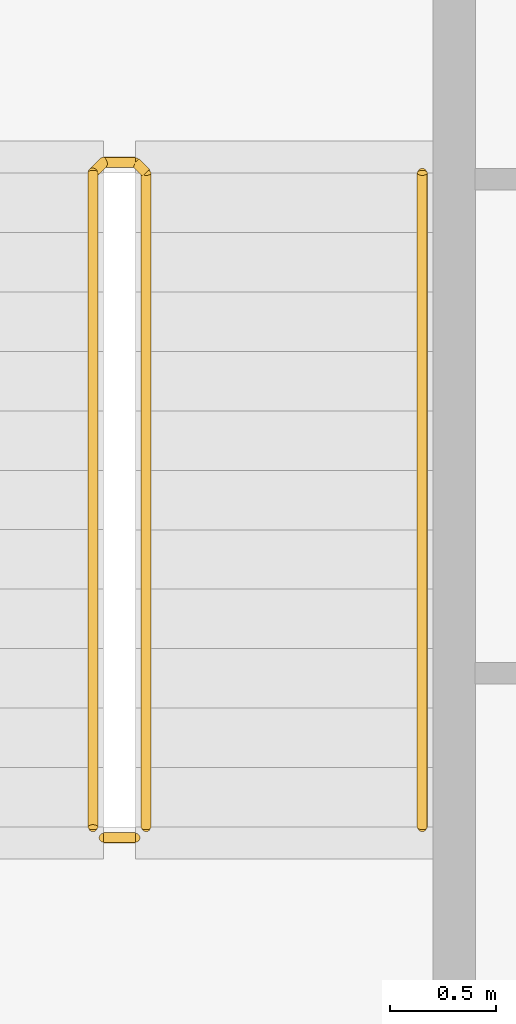
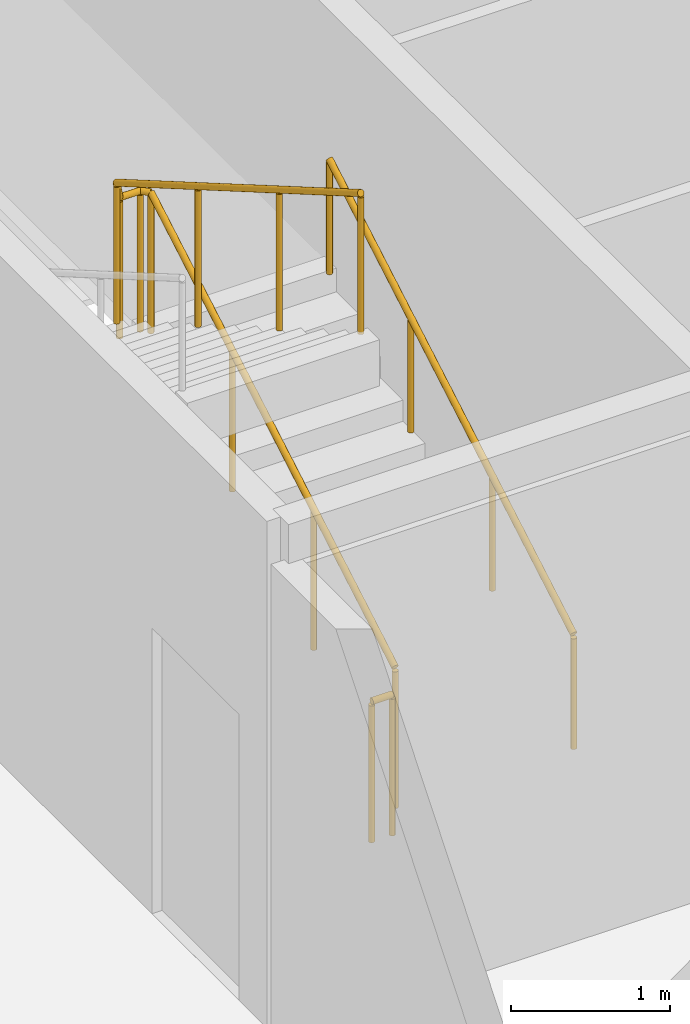
# One storey, part 20 of 21: 3 railings.
"""IFC4 building model written with IfcOpenShell, lengths in metres."""

from ifc_helpers import new_model, si_unit, direction, frame, origin, origin_2d, place, context, subcontext, project, spatial, circle, extrude, material, type_object, element, save


model = new_model("IFC4")

# Units and contexts
model_context = context("Model", 3, precision=1e-05, world=origin(), true_north=direction((0.0, 1.0)))
body_context = subcontext(model_context, "Body", "Model", "MODEL_VIEW")
ifc_project = project(units=[si_unit("LENGTHUNIT", "METRE"), si_unit("AREAUNIT", "SQUARE_METRE"), si_unit("VOLUMEUNIT", "CUBIC_METRE"), si_unit("PLANEANGLEUNIT", "RADIAN"), si_unit("MASSUNIT", "GRAM", prefix="KILO")], contexts=[model_context])

# Site, building, storey
site_placement = place(None, origin())
site = spatial("IfcSite", under=ifc_project, at=site_placement, CompositionType="ELEMENT")
building_placement = place(site_placement, origin())
building = spatial("IfcBuilding", under=site, at=building_placement, Name="Kheshtan School and Residences Tower", CompositionType="ELEMENT")
storey_placement = place(building_placement, frame((0.0, 0.0, 317.60009765625)))
storey = spatial("IfcBuildingStorey", under=building, at=storey_placement, Name="L75", CompositionType="ELEMENT", Elevation=317.60009765625)

# Railings
ifc_material_1 = material(Name="Stainless steel balustrade", Category="steel")
railing_type_1 = type_object("IfcRailingType", Name="Stair guard 1100", PredefinedType="GUARDRAIL", material=ifc_material_1)
railing_1_placement = place(storey_placement, frame((35.0, 80.89990234375, 0.162353515625)))
element("IfcRailing", 1, at=railing_1_placement, inside=storey, type_object=railing_type_1, Name="L75 ST3 stair guard 1", PredefinedType="GUARDRAIL", context=body_context, shape_type="SweptSolid", body=[
    extrude(circle(Radius=0.02392578125, at=origin_2d()), frame((0.0, 0.0, 1.076171875), z_axis=(0.0, 0.864890721111, 0.501960198159), x_axis=(-1.0, 0.0, 0.0)), (0.0, 0.0, 1.0), 3.561279296875),
    extrude(circle(Radius=0.02392578125, at=origin_2d()), frame((0.0, 3.080078125, 2.86376953125), z_axis=(-0.707106781187, 0.707106781187, 0.0), x_axis=(-0.707106781187, -0.707106781187, 0.0)), (0.0, 0.0, 1.0), 0.07080078125),
    extrude(circle(Radius=0.02392578125, at=origin_2d()), frame((-0.050048828125, 3.130126953125, 2.86376953125), z_axis=(-1.0, 0.0, 0.0), x_axis=(0.0, -1.0, 0.0)), (0.0, 0.0, 1.0), 0.14990234375),
    extrude(circle(Radius=0.02392578125, at=origin_2d()), frame((-0.199951171875, 3.130126953125, 2.86376953125), z_axis=(-0.282583949758, -0.282583949758, 0.916674763849), x_axis=(0.707106781187, -0.707106781187, 0.0)), (0.0, 0.0, 1.0), 0.177001953125),
    extrude(circle(Radius=0.02392578125, at=origin_2d()), frame((-0.25, 3.080078125, 3.02587890625), z_axis=(0.0, -0.864890721111, 0.501960198159), x_axis=(1.0, 0.0, 0.0)), (0.0, 0.0, 1.0), 3.561279296875),
    extrude(circle(Radius=0.02099609375, at=origin_2d()), origin(), (0.0, 0.0, 1.0), 1.052001953125),
    extrude(circle(Radius=0.02099609375, at=origin_2d()), frame((0.0, 1.026611328125, 0.595947265625)), (0.0, 0.0, 1.0), 1.052001953125),
    extrude(circle(Radius=0.02099609375, at=origin_2d()), frame((0.0, 2.053466796875, 1.191650390625)), (0.0, 0.0, 1.0), 1.052001953125),
    extrude(circle(Radius=0.02099609375, at=origin_2d()), frame((0.0, 3.080078125, 1.78759765625)), (0.0, 0.0, 1.0), 1.052001953125),
    extrude(circle(Radius=0.02099609375, at=origin_2d()), frame((-0.050048828125, 3.130126953125, 1.78759765625)), (0.0, 0.0, 1.0), 1.052001953125),
    extrude(circle(Radius=0.02099609375, at=origin_2d()), frame((-0.199951171875, 3.130126953125, 1.78759765625)), (0.0, 0.0, 1.0), 1.052001953125),
    extrude(circle(Radius=0.02099609375, at=origin_2d()), frame((-0.25, 3.080078125, 1.949951171875)), (0.0, 0.0, 1.0), 1.052001953125),
    extrude(circle(Radius=0.02099609375, at=origin_2d()), frame((-0.25, 2.053466796875, 2.5458984375)), (0.0, 0.0, 1.0), 1.052001953125),
    extrude(circle(Radius=0.02099609375, at=origin_2d()), frame((-0.25, 1.026611328125, 3.1416015625)), (0.0, 0.0, 1.0), 1.052001953125),
    extrude(circle(Radius=0.02099609375, at=origin_2d()), frame((-0.25, 0.0, 3.737548828125)), (0.0, 0.0, 1.0), 1.052001953125),
])
railing_2_placement = place(storey_placement, frame((34.949951171875, 80.85009765625, 0.0)))
element("IfcRailing", 2, at=railing_2_placement, inside=storey, type_object=railing_type_1, Name="L75 ST3 stair guard 2", PredefinedType="GUARDRAIL", context=body_context, shape_type="SweptSolid", body=[
    extrude(circle(Radius=0.02392578125, at=origin_2d()), frame((0.0, 0.0, 1.076171875), z_axis=(-1.0, 0.0, 0.0), x_axis=(0.0, -1.0, 0.0)), (0.0, 0.0, 1.0), 0.14990234375),
    extrude(circle(Radius=0.02099609375, at=origin_2d()), origin(), (0.0, 0.0, 1.0), 1.052001953125),
    extrude(circle(Radius=0.02099609375, at=origin_2d()), frame((-0.14990234375, 0.0, 0.0)), (0.0, 0.0, 1.0), 1.052001953125),
])
ifc_material_2 = material(Name="Stainless steel handrail", Category="steel")
railing_type_2 = type_object("IfcRailingType", Name="Stair handrail 900", PredefinedType="HANDRAIL", material=ifc_material_2)
railing_3_placement = place(storey_placement, frame((36.300048828125, 80.89990234375, 0.162353515625)))
element("IfcRailing", 3, at=railing_3_placement, inside=storey, type_object=railing_type_2, Name="L75 ST3 stair handrail 1", PredefinedType="HANDRAIL", context=body_context, shape_type="SweptSolid", body=[
    extrude(circle(Radius=0.02392578125, at=origin_2d()), frame((0.0, 0.0, 0.8759765625), z_axis=(0.0, 0.864890721111, 0.501960198159), x_axis=(-1.0, 0.0, 0.0)), (0.0, 0.0, 1.0), 3.561279296875),
    extrude(circle(Radius=0.02099609375, at=origin_2d()), origin(), (0.0, 0.0, 1.0), 0.851806640625),
    extrude(circle(Radius=0.02099609375, at=origin_2d()), frame((0.0, 1.026611328125, 0.595947265625)), (0.0, 0.0, 1.0), 0.851806640625),
    extrude(circle(Radius=0.02099609375, at=origin_2d()), frame((0.0, 2.053466796875, 1.191650390625)), (0.0, 0.0, 1.0), 0.851806640625),
    extrude(circle(Radius=0.02099609375, at=origin_2d()), frame((0.0, 3.080078125, 1.78759765625)), (0.0, 0.0, 1.0), 0.851806640625),
])

save(model, "model.ifc")
